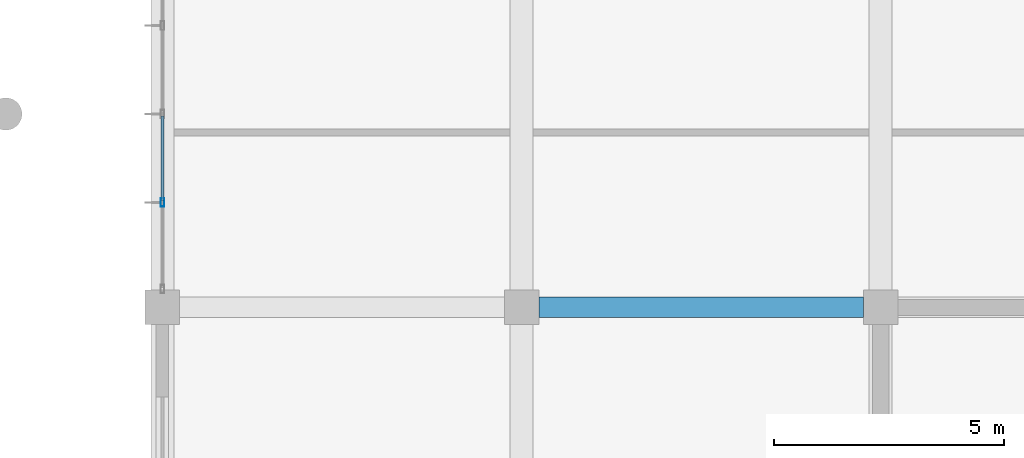
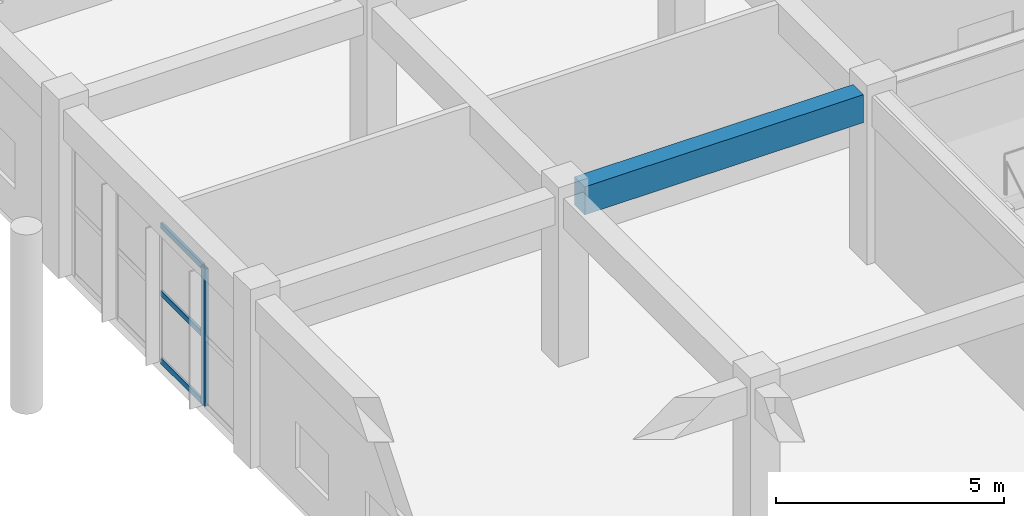
# One storey, part 69 of 175: 4 members, 1 beam, 1 element without a shape of its own.
"""IFC4 building model written with IfcOpenShell, lengths in metres."""

from ifc_helpers import new_model, si_unit, direction, frame, origin, origin_2d, place, context, subcontext, project, spatial, rectangle, hollow_rectangle, extrude, material, layer, layer_set, material_profile, profile_set, type_object, element, aggregate, save


model = new_model("IFC4")

# Units and contexts
model_context = context("Model", 3, precision=1e-05, world=origin(), true_north=direction((0.0, 1.0)))
body_context = subcontext(model_context, "Body", "Model", "MODEL_VIEW")
ifc_project = project(units=[si_unit("LENGTHUNIT", "METRE"), si_unit("AREAUNIT", "SQUARE_METRE"), si_unit("VOLUMEUNIT", "CUBIC_METRE"), si_unit("PLANEANGLEUNIT", "RADIAN"), si_unit("MASSUNIT", "GRAM", prefix="KILO")], contexts=[model_context])

# Site, building, storey
site_placement = place(None, origin())
site = spatial("IfcSite", under=ifc_project, at=site_placement, CompositionType="ELEMENT")
building_placement = place(site_placement, origin())
building = spatial("IfcBuilding", under=site, at=building_placement, Name="Zizhar Promenade General Hospital", CompositionType="ELEMENT")
storey_placement = place(building_placement, frame((0.0, 0.0, 4.800048828125)))
storey = spatial("IfcBuildingStorey", under=building, at=storey_placement, Name="L01", CompositionType="ELEMENT", Elevation=4.800048828125)

# Beam
ifc_material_1 = material(Name="Concrete C35/45", Category="concrete")
ifc_material_profile_1 = material_profile(ifc_material_1, rectangle(XDim=0.449951171875, YDim=0.75, at=origin_2d()))
ifc_profile_set_1 = profile_set([ifc_material_profile_1], Name="Concrete C35/45")
beam_type = type_object("IfcBeamType", Name="BM-RC-450x750", PredefinedType="BEAM", material=ifc_profile_set_1)
beam_placement = place(storey_placement, frame((54.97509765625, 117.60009765625, 4.094970703125), z_axis=(1.0, 0.0, 0.0), x_axis=(0.0, 1.0, 0.0)))
element("IfcBeam", 1, at=beam_placement, inside=storey, type_object=beam_type, Name="Grid Beam X L01 (7-14)", PredefinedType="BEAM", context=body_context, shape_type="SweptSolid", body=[
    extrude(rectangle(XDim=0.449951171875, YDim=0.75, at=origin_2d()), origin(), (0.0, 0.0, 1.0), 7.0498046875),
])

# Curtain wall, members
ifc_material_2 = material(Name="Anodised aluminium 6063-T6 and low-E glass", Category="aluminium")
ifc_layer = layer(ifc_material_2, 0.159912109375)
ifc_layer_set = layer_set([ifc_layer], Name="Anodised aluminium 6063-T6 and low-E glass")
curtain_wall_type = type_object("IfcCurtainWallType", Name="CW-DT-MOD1", PredefinedType="NOTDEFINED", material=ifc_layer_set)
curtain_wall_placement = place(storey_placement, origin())
curtain_wall = element("IfcCurtainWall", 2, at=curtain_wall_placement, inside=storey, type_object=curtain_wall_type, Name="Surgical West Glazed Curtain Wall L01-14", PredefinedType="NOTDEFINED")
ifc_material_3 = material(Name="Anodised aluminium 6063-T6", Category="aluminium")
ifc_material_profile_2 = material_profile(ifc_material_3, hollow_rectangle(XDim=0.080078125, YDim=0.179931640625, WallThickness=0.0048828125, at=origin_2d()))
ifc_profile_set_2 = profile_set([ifc_material_profile_2], Name="Anodised aluminium 6063-T6")
member_type_1 = type_object("IfcMemberType", Name="CWM-ALU-180x80", PredefinedType="MULLION", material=ifc_profile_set_2)
member_1_placement = place(storey_placement, frame((46.800048828125, 119.8798828125, 0.0), z_axis=(0.0, 0.0, 1.0), x_axis=(-1.0, 0.0, 0.0)))
member_1 = element("IfcMember", 3, at=member_1_placement, type_object=member_type_1, Name="CW-07 mullion 2", PredefinedType="MULLION", context=body_context, shape_type="SweptSolid", body=[
    extrude(hollow_rectangle(XDim=0.080078125, YDim=0.179931640625, WallThickness=0.0048828125, at=origin_2d()), origin(), (0.0, 0.0, 1.0), 3.679931640625),
])
ifc_material_4 = material(Name="Anodised aluminium 6063-T6", Category="aluminium")
ifc_material_profile_3 = material_profile(ifc_material_4, hollow_rectangle(XDim=0.06005859375, YDim=0.14990234375, WallThickness=0.00390625, at=origin_2d()))
ifc_profile_set_3 = profile_set([ifc_material_profile_3], Name="Anodised aluminium 6063-T6")
member_type_2 = type_object("IfcMemberType", Name="CWT-ALU-150x60", PredefinedType="USERDEFINED", material=ifc_profile_set_3)
member_2_placement = place(storey_placement, frame((46.800048828125, 119.919921875, 0.030029296875), z_axis=(0.0, 1.0, 0.0), x_axis=(-1.0, 0.0, 0.0)))
member_2 = element("IfcMember", 4, at=member_2_placement, type_object=member_type_2, Name="CW-07 transom 2.1", ObjectType="TRANSOM", PredefinedType="USERDEFINED", context=body_context, shape_type="SweptSolid", body=[
    extrude(hollow_rectangle(XDim=0.06005859375, YDim=0.14990234375, WallThickness=0.00390625, at=origin_2d()), origin(), (0.0, 0.0, 1.0), 1.840087890625),
])
member_3_placement = place(storey_placement, frame((46.800048828125, 119.919921875, 1.83984375), z_axis=(0.0, 1.0, 0.0), x_axis=(-1.0, 0.0, 0.0)))
member_3 = element("IfcMember", 5, at=member_3_placement, type_object=member_type_2, Name="CW-07 transom 2.2", ObjectType="TRANSOM", PredefinedType="USERDEFINED", context=body_context, shape_type="SweptSolid", body=[
    extrude(hollow_rectangle(XDim=0.06005859375, YDim=0.14990234375, WallThickness=0.00390625, at=origin_2d()), origin(), (0.0, 0.0, 1.0), 1.840087890625),
])
member_4_placement = place(storey_placement, frame((46.800048828125, 119.919921875, 3.64990234375), z_axis=(0.0, 1.0, 0.0), x_axis=(-1.0, 0.0, 0.0)))
member_4 = element("IfcMember", 6, at=member_4_placement, type_object=member_type_2, Name="CW-07 transom 2.3", ObjectType="TRANSOM", PredefinedType="USERDEFINED", context=body_context, shape_type="SweptSolid", body=[
    extrude(hollow_rectangle(XDim=0.06005859375, YDim=0.14990234375, WallThickness=0.00390625, at=origin_2d()), origin(), (0.0, 0.0, 1.0), 1.840087890625),
])
aggregate(curtain_wall, [member_1, member_2, member_3, member_4])

save(model, "model.ifc")
